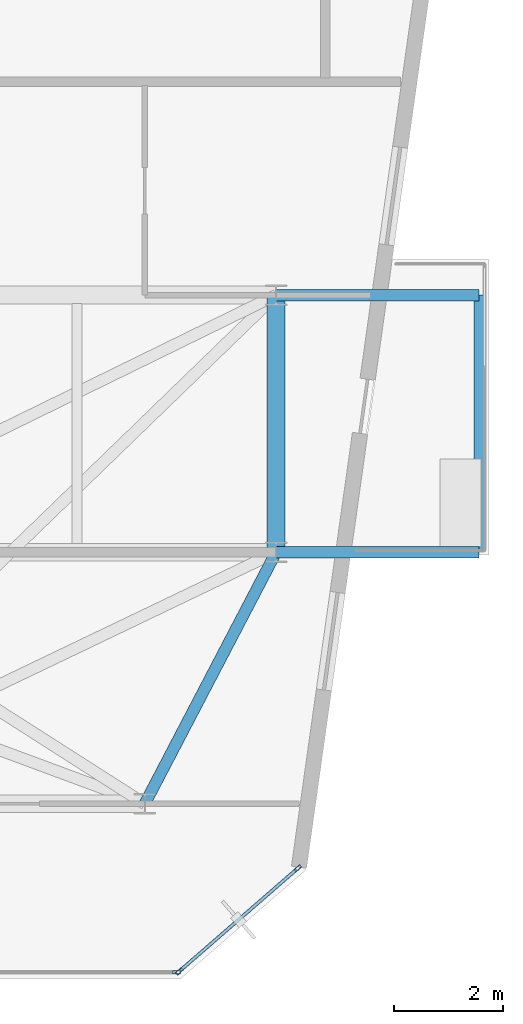
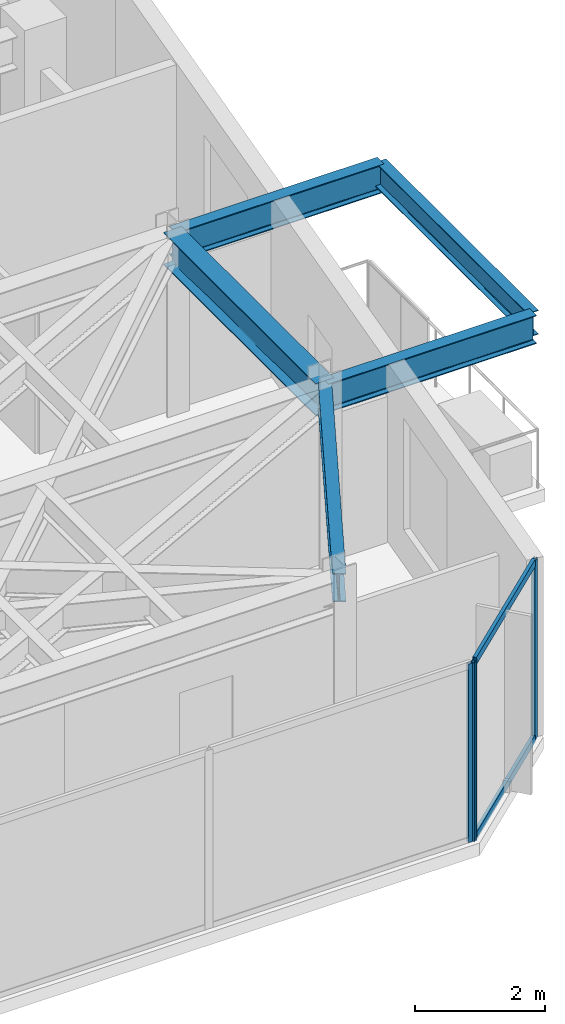
# One storey, part 12 of 17: 5 beams, 5 members, 2 elements without a shape of their own.
"""IFC4 building model written with IfcOpenShell, lengths in metres."""

from ifc_helpers import new_model, si_unit, direction, frame, origin, origin_2d, place, context, subcontext, project, spatial, hollow_rectangle, i_section, extrude, material, layer, layer_set, material_profile, profile_set, type_object, element, aggregate, save


model = new_model("IFC4")

# Units and contexts
model_context = context("Model", 3, precision=1e-05, world=origin(), true_north=direction((0.0, 1.0)))
body_context = subcontext(model_context, "Body", "Model", "MODEL_VIEW")
ifc_project = project(units=[si_unit("LENGTHUNIT", "METRE"), si_unit("AREAUNIT", "SQUARE_METRE"), si_unit("VOLUMEUNIT", "CUBIC_METRE"), si_unit("PLANEANGLEUNIT", "RADIAN"), si_unit("MASSUNIT", "GRAM", prefix="KILO")], contexts=[model_context])

# Site, building, storey
site_placement = place(None, origin())
site = spatial("IfcSite", under=ifc_project, at=site_placement, CompositionType="ELEMENT")
building_placement = place(site_placement, origin())
building = spatial("IfcBuilding", under=site, at=building_placement, Name="Kravanh Interchange Tower", CompositionType="ELEMENT")
storey_placement = place(building_placement, frame((0.0, 0.0, 282.300048828125)))
storey = spatial("IfcBuildingStorey", under=building, at=storey_placement, Name="L69", CompositionType="ELEMENT", Elevation=282.300048828125)

# Curtain wall, members
ifc_material_1 = material(Name="Anodised Bronze Aluminium", Category="aluminium")
ifc_layer = layer(ifc_material_1, 0.179931640625)
ifc_layer_set = layer_set([ifc_layer], Name="Unitised Curtain Wall System CW-HTL Luxury Hotel")
curtain_wall_type = type_object("IfcCurtainWallType", Name="Unitised Curtain Wall System CW-HTL Luxury Hotel", PredefinedType="NOTDEFINED", material=ifc_layer_set)
curtain_wall_1_placement = place(storey_placement, origin())
curtain_wall_1 = element("IfcCurtainWall", 1, at=curtain_wall_1_placement, inside=storey, type_object=curtain_wall_type, Name="L69 Unitised Curtain Wall CW-L69-02", PredefinedType="NOTDEFINED")
ifc_material_2 = material(Name="Anodised Bronze Aluminium", Category="aluminium")
ifc_material_profile_1 = material_profile(ifc_material_2, hollow_rectangle(XDim=0.06005859375, YDim=0.139892578125, WallThickness=0.00390625, at=origin_2d()), Name="ALU60X140X4")
ifc_profile_set_1 = profile_set([ifc_material_profile_1], Name="Anodised Bronze Aluminium")
member_type_1 = type_object("IfcMemberType", Name="Curtain Wall Mullion ALU60X140X4 Bronze", PredefinedType="MULLION", material=ifc_profile_set_1)
member_1_placement = place(storey_placement, frame((65.9970703125, 21.02197265625, 0.0), z_axis=(0.0, 0.0, 1.0), x_axis=(0.656033323139, -0.75473192521, 0.0)))
member_1 = element("IfcMember", 2, at=member_1_placement, type_object=member_type_1, Name="CW-HTL mullion 1", PredefinedType="MULLION", context=body_context, shape_type="SweptSolid", body=[
    extrude(hollow_rectangle(XDim=0.06005859375, YDim=0.139892578125, WallThickness=0.00390625, at=origin_2d()), origin(), (0.0, 0.0, 1.0), 3.364990234375),
])
member_2_placement = place(storey_placement, frame((63.831787109375, 19.1396484375, 0.0), z_axis=(0.0, 0.0, 1.0), x_axis=(0.656033323139, -0.75473192521, 0.0)))
member_2 = element("IfcMember", 3, at=member_2_placement, type_object=member_type_1, Name="CW-HTL mullion 2", PredefinedType="MULLION", context=body_context, shape_type="SweptSolid", body=[
    extrude(hollow_rectangle(XDim=0.06005859375, YDim=0.139892578125, WallThickness=0.00390625, at=origin_2d()), origin(), (0.0, 0.0, 1.0), 3.364990234375),
])

# Curtain wall, member
curtain_wall_2_placement = place(storey_placement, origin())
curtain_wall_2 = element("IfcCurtainWall", 4, at=curtain_wall_2_placement, inside=storey, type_object=curtain_wall_type, Name="L69 Unitised Curtain Wall CW-L69-03", PredefinedType="NOTDEFINED")
member_3_placement = place(storey_placement, frame((63.779052734375, 19.1201171875, 0.0), z_axis=(0.0, 0.0, 1.0), x_axis=(0.0, -1.0, 0.0)))
member_3 = element("IfcMember", 5, at=member_3_placement, type_object=member_type_1, Name="CW-HTL mullion 1", PredefinedType="MULLION", context=body_context, shape_type="SweptSolid", body=[
    extrude(hollow_rectangle(XDim=0.06005859375, YDim=0.139892578125, WallThickness=0.00390625, at=origin_2d()), origin(), (0.0, 0.0, 1.0), 3.364990234375),
])
aggregate(curtain_wall_2, [member_3])

# Member
ifc_material_3 = material(Name="Anodised Bronze Aluminium", Category="aluminium")
ifc_material_profile_2 = material_profile(ifc_material_3, hollow_rectangle(XDim=0.06005859375, YDim=0.139892578125, WallThickness=0.00390625, at=origin_2d()), Name="ALU60X140X4")
ifc_profile_set_2 = profile_set([ifc_material_profile_2], Name="Anodised Bronze Aluminium")
member_type_2 = type_object("IfcMemberType", Name="Curtain Wall Transom ALU60X140X4 Bronze", PredefinedType="USERDEFINED", material=ifc_profile_set_2)
member_4_placement = place(storey_placement, frame((65.974609375, 21.002197265625, 0.030029296875), z_axis=(-0.754747707805, -0.656015165651, 0.0), x_axis=(0.656015165651, -0.754747707805, 0.0)))
member_4 = element("IfcMember", 6, at=member_4_placement, type_object=member_type_2, Name="CW-HTL transom 1.1", ObjectType="TRANSOM", PredefinedType="USERDEFINED", context=body_context, shape_type="SweptSolid", body=[
    extrude(hollow_rectangle(XDim=0.06005859375, YDim=0.139892578125, WallThickness=0.00390625, at=origin_2d()), origin(), (0.0, 0.0, 1.0), 2.80908203125),
])

member_5_placement = place(storey_placement, frame((65.974609375, 21.002197265625, 3.3349609375), z_axis=(-0.754747707805, -0.656015165651, 0.0), x_axis=(0.656015165651, -0.754747707805, 0.0)))
member_5 = element("IfcMember", 7, at=member_5_placement, type_object=member_type_2, Name="CW-HTL transom 1.2", ObjectType="TRANSOM", PredefinedType="USERDEFINED", context=body_context, shape_type="SweptSolid", body=[
    extrude(hollow_rectangle(XDim=0.06005859375, YDim=0.139892578125, WallThickness=0.00390625, at=origin_2d()), origin(), (0.0, 0.0, 1.0), 2.80908203125),
])

aggregate(curtain_wall_1, [member_1, member_2, member_4, member_5])

# Beams
ifc_material_4 = material(Name="Structural Steel S355", Category="steel")
ifc_material_profile_3 = material_profile(ifc_material_4, i_section(OverallWidth=0.323974609375, OverallDepth=0.611083984375, WebThickness=0.0126953125, FlangeThickness=0.01904296875, FilletRadius=0.02197265625, at=origin_2d()), Name="W24X104")
ifc_profile_set_3 = profile_set([ifc_material_profile_3], Name="Structural Steel S355")
beam_type_1 = type_object("IfcBeamType", Name="Floor Beam W24X104 Structural Steel S355", PredefinedType="BEAM", material=ifc_profile_set_3)
beam_1_placement = place(storey_placement, frame((65.60009765625, 31.5, 3.0595703125), z_axis=(0.0, -1.0, 0.0), x_axis=(1.0, 0.0, 0.0)))
element("IfcBeam", 8, at=beam_1_placement, inside=storey, type_object=beam_type_1, Name="L69 Primary Floor Girder 13", PredefinedType="BEAM", context=body_context, shape_type="SweptSolid", body=[
    extrude(i_section(OverallWidth=0.323974609375, OverallDepth=0.611083984375, WebThickness=0.0126953125, FlangeThickness=0.01904296875, FilletRadius=0.02197265625, at=origin_2d()), origin(), (0.0, 0.0, 1.0), 4.699951171875),
])
ifc_material_5 = material(Name="Structural Steel S355", Category="steel")
ifc_material_profile_4 = material_profile(ifc_material_5, i_section(OverallWidth=0.18994140625, OverallDepth=0.45703125, WebThickness=0.009033203125, FlangeThickness=0.014404296875, FilletRadius=0.01806640625, at=origin_2d()), Name="W18X50")
ifc_profile_set_4 = profile_set([ifc_material_profile_4], Name="Structural Steel S355")
beam_type_2 = type_object("IfcBeamType", Name="Floor Joist W18X50 Structural Steel S355", PredefinedType="JOIST", material=ifc_profile_set_4)
beam_2_placement = place(storey_placement, frame((69.30810546875, 26.800048828125, 3.136474609375), z_axis=(0.0, 1.0, 0.0), x_axis=(-1.0, 0.0, 0.0)))
element("IfcBeam", 9, at=beam_2_placement, inside=storey, type_object=beam_type_2, Name="L69 Balcony Edge Tie Beam E", PredefinedType="JOIST", context=body_context, shape_type="SweptSolid", body=[
    extrude(i_section(OverallWidth=0.18994140625, OverallDepth=0.45703125, WebThickness=0.009033203125, FlangeThickness=0.014404296875, FilletRadius=0.01806640625, at=origin_2d()), origin(), (0.0, 0.0, 1.0), 4.699951171875),
])
ifc_material_6 = material(Name="Structural Steel S355", Category="steel")
ifc_material_profile_5 = material_profile(ifc_material_6, i_section(OverallWidth=0.2099609375, OverallDepth=0.537109375, WebThickness=0.010986328125, FlangeThickness=0.017333984375, FilletRadius=0.02001953125, at=origin_2d()), Name="W21X68")
ifc_profile_set_5 = profile_set([ifc_material_profile_5], Name="Structural Steel S355")
beam_type_3 = type_object("IfcBeamType", Name="Floor Spandrel W21X68 Structural Steel S355", PredefinedType="SPANDREL", material=ifc_profile_set_5)
beam_3_placement = place(storey_placement, frame((65.60009765625, 26.800048828125, 3.096435546875), z_axis=(-0.462580479178, -0.886577295155, 0.0), x_axis=(0.886577295155, -0.462580479178, 0.0)))
element("IfcBeam", 10, at=beam_3_placement, inside=storey, type_object=beam_type_3, Name="L69 Perimeter Spandrel 31", PredefinedType="SPANDREL", context=body_context, shape_type="SweptSolid", body=[
    extrude(i_section(OverallWidth=0.2099609375, OverallDepth=0.537109375, WebThickness=0.010986328125, FlangeThickness=0.017333984375, FilletRadius=0.02001953125, at=origin_2d()), origin(), (0.0, 0.0, 1.0), 5.188720703125),
])
for number, where, z_axis, x_axis, name in (
    (11, (65.60009765625, 26.800048828125, 3.096435546875), (1.0, 0.0, 0.0), (0.0, 1.0, 0.0), "L69 Balcony Cantilever Outrigger E1"),
    (12, (65.60009765625, 31.5, 3.096435546875), (1.0, 0.0, 0.0), (0.0, 1.0, 0.0), "L69 Balcony Cantilever Outrigger E2"),
):
    element("IfcBeam", number, at=place(storey_placement, frame(where, z_axis=z_axis, x_axis=x_axis)), inside=storey, type_object=beam_type_3, Name=name, PredefinedType="SPANDREL", context=body_context, shape_type="SweptSolid", body=[
        extrude(i_section(OverallWidth=0.2099609375, OverallDepth=0.537109375, WebThickness=0.010986328125, FlangeThickness=0.017333984375, FilletRadius=0.02001953125, at=origin_2d()), origin(), (0.0, 0.0, 1.0), 3.7080078125),
    ])

save(model, "model.ifc")
